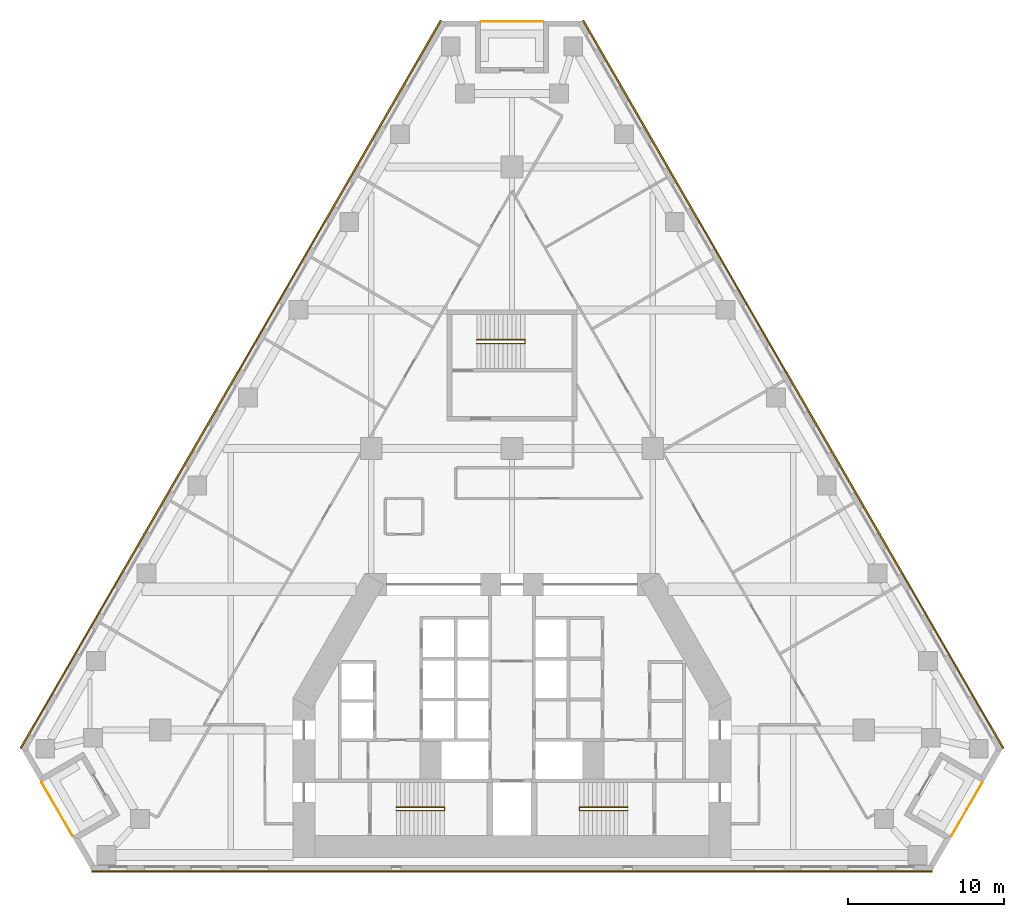
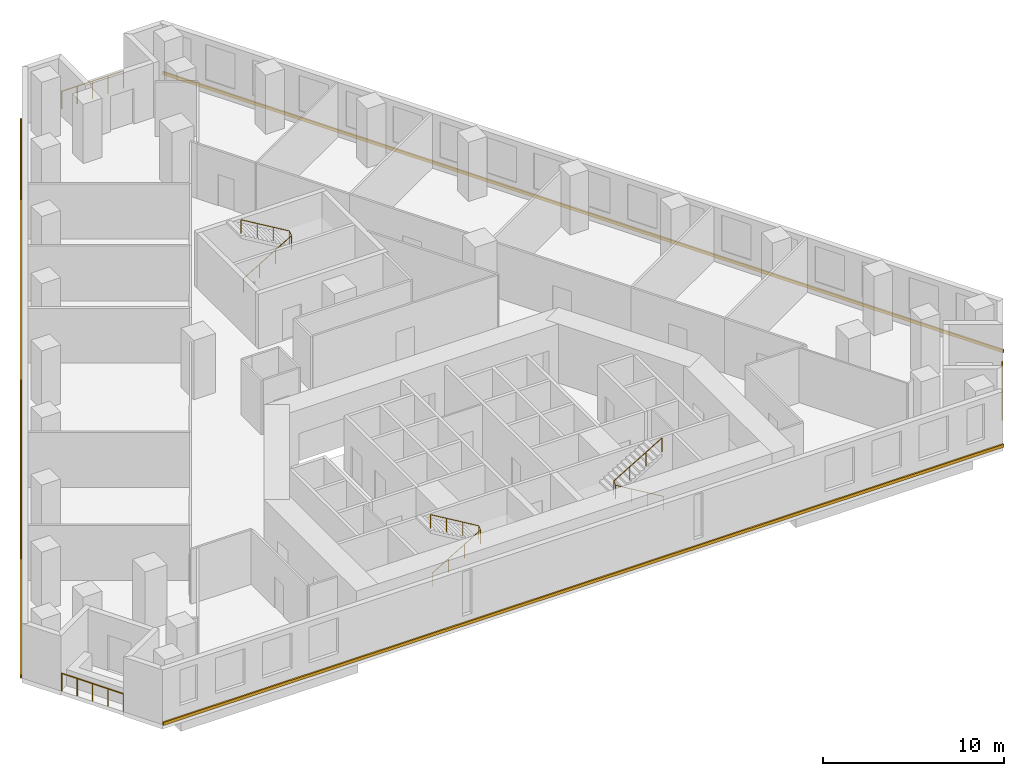
# One storey, part 9 of 9: 6 railings, 3 coverings.
"""IFC4 building model written with IfcOpenShell, lengths in metres."""

import ifcopenshell
import ifcopenshell.guid

model = None  # the IFC model being written
_history = None  # IfcOwnerHistory: only IFC2X3 demands one
_inside = {}  # id of a spatial element -> (the spatial element, [elements in it])
_under = {}  # id of a project, library or spatial element -> (it, [spatial elements below it])
_declared = {}  # id of a project -> (the project, [libraries it declares])
_typed = {}  # id of a type object -> (the type object, [elements of that type])
_made_of = {}  # id of a material, layer set ... -> (it, [elements and type objects made of it])


def new_model(schema):
    """Start an empty IFC model of exactly this schema.

    Asked for "IFC4X3", IfcOpenShell would pick the latest addendum, in which some entities
    have other attributes; the version numbers below select the first issue.
    IFC2X3 requires an IfcOwnerHistory on every rooted entity: one is made here for all.
    """
    global model, _history
    if schema == "IFC4X3":
        model = ifcopenshell.file(schema_version=(4, 3, 0, 0))
    else:
        model = ifcopenshell.file(schema=schema)
    _inside.clear()
    _under.clear()
    _declared.clear()
    _typed.clear()
    _made_of.clear()
    _history = None
    if model.schema == "IFC2X3":
        org = make("IfcOrganization", Name="unknown")
        user = make(
            "IfcPersonAndOrganization",
            ThePerson=make("IfcPerson", FamilyName="unknown"),
            TheOrganization=org,
        )
        app = make(
            "IfcApplication",
            ApplicationDeveloper=org,
            Version="unknown",
            ApplicationFullName="unknown",
            ApplicationIdentifier="unknown",
        )
        _history = make(
            "IfcOwnerHistory",
            OwningUser=user,
            OwningApplication=app,
            ChangeAction="ADDED",
            CreationDate=0,
        )
    return model


def make(cls, **values):
    """One entity of the class cls with the attributes given. An attribute that is None is left unset."""
    return model.create_entity(
        cls, **{name: value for name, value in values.items() if value is not None}
    )


def rooted(cls, **values):
    """An entity with a GlobalId (a new one), such as an element, a storey or a relation."""
    return make(cls, GlobalId=ifcopenshell.guid.new(), OwnerHistory=_history, **values)


def si_unit(unit_type, name, prefix=None):
    """IfcSIUnit, for example si_unit("LENGTHUNIT", "METRE", prefix="MILLI")."""
    return make("IfcSIUnit", UnitType=unit_type, Prefix=prefix, Name=name)


def assignment(units):
    """IfcUnitAssignment: the units of a project."""
    return None if units is None else make("IfcUnitAssignment", Units=units)


def point(xyz):
    """IfcCartesianPoint."""
    return None if xyz is None else make("IfcCartesianPoint", Coordinates=xyz)


def direction(xyz):
    """IfcDirection."""
    return None if xyz is None else make("IfcDirection", DirectionRatios=xyz)


def frame(location, z_axis=None, x_axis=None):
    """IfcAxis2Placement3D, a coordinate frame: its origin and axes. An axis left out is left unset."""
    return make(
        "IfcAxis2Placement3D",
        Location=point(location),
        Axis=direction(z_axis),
        RefDirection=direction(x_axis),
    )


def frame_2d(location, x_axis=None):
    """IfcAxis2Placement2D, a coordinate frame in the plane: its origin and x axis."""
    return make(
        "IfcAxis2Placement2D", Location=point(location), RefDirection=direction(x_axis)
    )


def origin():
    """The frame at (0, 0, 0) with its axes left unset."""
    return frame((0.0, 0.0, 0.0))


def origin_2d():
    """The frame at (0, 0) in the plane with its x axis left unset."""
    return frame_2d((0.0, 0.0))


def place(relative_to, where):
    """IfcLocalPlacement: puts the frame where relative to a parent placement (None: the world)."""
    return make(
        "IfcLocalPlacement", PlacementRelTo=relative_to, RelativePlacement=where
    )


def context(
    kind, dimensions, precision=None, world=None, true_north=None, identifier=None
):
    """IfcGeometricRepresentationContext, for example the 3D "Model" context."""
    return make(
        "IfcGeometricRepresentationContext",
        ContextIdentifier=identifier,
        ContextType=kind,
        CoordinateSpaceDimension=dimensions,
        Precision=precision,
        WorldCoordinateSystem=world,
        TrueNorth=true_north,
    )


def subcontext(parent, identifier, kind, view, scale=None):
    """IfcGeometricRepresentationSubContext, for example "Body" below "Model"."""
    return make(
        "IfcGeometricRepresentationSubContext",
        ContextIdentifier=identifier,
        ContextType=kind,
        ParentContext=parent,
        TargetScale=scale,
        TargetView=view,
    )


def project(units=None, contexts=None):
    """IfcProject with its units and contexts."""
    return rooted(
        "IfcProject",
        Name="project",
        RepresentationContexts=contexts,
        UnitsInContext=assignment(units),
    )


def spatial(cls, under=None, at=None, **own):
    """A site, building, storey or space (cls), placed at a placement, below another one or the project."""
    s = rooted(cls, ObjectPlacement=at, **own)
    if under is not None:
        _under.setdefault(under.id(), (under, []))[1].append(s)
    return s


def polyline(points):
    """IfcPolyline through the points."""
    return make("IfcPolyline", Points=[point(p) for p in points])


def profile(cls, at=None, kind="AREA", **sizes):
    """A parametric profile (cls). Its sizes go by their IFC names, for example OverallWidth=200.0."""
    return make(cls, ProfileType=kind, Position=at, **sizes)


def circle(**sizes):
    """IfcCircleProfileDef."""
    return profile("IfcCircleProfileDef", **sizes)


def outline(outer, holes=None, kind="AREA"):
    """IfcArbitraryClosedProfileDef: a profile drawn as a closed curve; with holes, ...WithVoids."""
    if holes is None:
        return make("IfcArbitraryClosedProfileDef", ProfileType=kind, OuterCurve=outer)
    return make(
        "IfcArbitraryProfileDefWithVoids",
        ProfileType=kind,
        OuterCurve=outer,
        InnerCurves=holes,
    )


def extrude(swept, where, along, depth):
    """IfcExtrudedAreaSolid: the profile swept, set in the frame where, extruded along a direction by depth."""
    return make(
        "IfcExtrudedAreaSolid",
        SweptArea=swept,
        Position=where,
        ExtrudedDirection=direction(along),
        Depth=depth,
    )


def shape(context_of_items, identifier, shape_type, items):
    """IfcShapeRepresentation: the items that make up one representation, for example the "Body"."""
    return make(
        "IfcShapeRepresentation",
        ContextOfItems=context_of_items,
        RepresentationIdentifier=identifier,
        RepresentationType=shape_type,
        Items=items,
    )


def material(Name=None, Category=None):
    """IfcMaterial."""
    return make("IfcMaterial", Name=Name, Category=Category)


def made_of(thing, what):
    """Note that an element or type object is made of a material, layer set ...; save() writes the relation."""
    if what is not None:
        _made_of.setdefault(what.id(), (what, []))[1].append(thing)
    return thing


def type_object(cls, material=None, **own):
    """A type object (cls), such as IfcWallType, which elements share."""
    return made_of(rooted(cls, **own), material)


def element(
    cls,
    number,
    at=None,
    inside=None,
    cuts=None,
    type_object=None,
    material=None,
    context=None,
    identifier="Body",
    shape_type=None,
    held_by="IfcProductDefinitionShape",
    body=None,
    shapes=None,
    **own,
):
    """One element of the class cls, such as IfcWall. Its Tag is "e" and its number.

    at: its placement. inside: the storey or other place that contains it. cuts: it is an
    opening in that element (IfcRelVoidsElement). A single representation is given by context,
    identifier, shape_type and body (its items); several are given by shapes. held_by: the class
    of the entity that holds the representations. save() writes the other relations.
    """
    e = rooted(cls, Tag="e%d" % number, ObjectPlacement=at, **own)
    if body is not None:
        shapes = [shape(context, identifier, shape_type, body)]
    if shapes is not None:
        e.Representation = make(held_by, Representations=shapes)
    if inside is not None:
        _inside.setdefault(inside.id(), (inside, []))[1].append(e)
    if cuts is not None:
        rooted(
            "IfcRelVoidsElement", RelatingBuildingElement=cuts, RelatedOpeningElement=e
        )
    if type_object is not None:
        _typed.setdefault(type_object.id(), (type_object, []))[1].append(e)
    return made_of(e, material)


def aggregate(whole, parts):
    """IfcRelAggregates: a whole, such as a stair, and the parts it consists of."""
    return rooted("IfcRelAggregates", RelatingObject=whole, RelatedObjects=parts)


def save(model, path):
    """Write the relations noted so far, then the file.

    IfcRelAggregates (storeys below a building ...), IfcRelContainedInSpatialStructure (elements
    in a storey), IfcRelDefinesByType, IfcRelAssociatesMaterial and IfcRelDeclares: one each for
    every whole, place, type object, material and project.
    """
    for whole, parts in _under.values():
        aggregate(whole, parts)
    for where, things in _inside.values():
        rooted(
            "IfcRelContainedInSpatialStructure",
            RelatedElements=things,
            RelatingStructure=where,
        )
    for kind, things in _typed.values():
        rooted("IfcRelDefinesByType", RelatedObjects=things, RelatingType=kind)
    for what, things in _made_of.values():
        rooted("IfcRelAssociatesMaterial", RelatedObjects=things, RelatingMaterial=what)
    for by, libraries in _declared.values():
        rooted("IfcRelDeclares", RelatingContext=by, RelatedDefinitions=libraries)
    model.write(path)


model = new_model("IFC4")

# Units and contexts
model_context = context("Model", 3, precision=1e-05, world=origin(), true_north=direction((0.0, 1.0)))
body_context = subcontext(model_context, "Body", "Model", "MODEL_VIEW")
ifc_project = project(units=[si_unit("LENGTHUNIT", "METRE"), si_unit("AREAUNIT", "SQUARE_METRE"), si_unit("VOLUMEUNIT", "CUBIC_METRE"), si_unit("PLANEANGLEUNIT", "RADIAN"), si_unit("MASSUNIT", "GRAM", prefix="KILO")], contexts=[model_context])

# Site, building, storey
site_placement = place(None, origin())
site = spatial("IfcSite", under=ifc_project, at=site_placement, CompositionType="ELEMENT")
building_placement = place(site_placement, origin())
building = spatial("IfcBuilding", under=site, at=building_placement, Name="Fogline Exchange Tower", CompositionType="ELEMENT")
storey_placement = place(building_placement, frame((0.0, 0.0, 64.89990234375)))
storey = spatial("IfcBuildingStorey", under=building, at=storey_placement, Name="L13", CompositionType="ELEMENT", Elevation=64.89990234375)

# Railings
ifc_material_1 = material(Name="Stainless steel 304", Category="steel")
railing_type_1 = type_object("IfcRailingType", Name="G1", PredefinedType="GUARDRAIL", material=ifc_material_1)
railing_1_placement = place(storey_placement, frame((-30.0791015625, 5.635986328125, 0.0)))
element("IfcRailing", 1, at=railing_1_placement, inside=storey, type_object=railing_type_1, Name="Balcony guard L13 SW", PredefinedType="GUARDRAIL", context=body_context, shape_type="SweptSolid", body=[
    extrude(circle(Radius=0.02392578125, at=origin_2d()), frame((0.0, 0.0, 1.17578125), z_axis=(0.500000102728, -0.866025344474, 0.0), x_axis=(0.866025344474, 0.500000102728, 0.0)), (0.0, 0.0, 1.0), 3.9580078125),
    extrude(circle(Radius=0.02099609375, at=origin_2d()), origin(), (0.0, 0.0, 1.0), 1.15185546875),
    extrude(circle(Radius=0.02099609375, at=origin_2d()), frame((0.49462890625, -0.85693359375, 0.0)), (0.0, 0.0, 1.0), 1.15185546875),
    extrude(circle(Radius=0.02099609375, at=origin_2d()), frame((0.989501953125, -1.7138671875, 0.0)), (0.0, 0.0, 1.0), 1.15185546875),
    extrude(circle(Radius=0.02099609375, at=origin_2d()), frame((1.484375, -2.57080078125, 0.0)), (0.0, 0.0, 1.0), 1.15185546875),
    extrude(circle(Radius=0.02099609375, at=origin_2d()), frame((1.97900390625, -3.427734375, 0.0)), (0.0, 0.0, 1.0), 1.15185546875),
])
railing_2_placement = place(storey_placement, frame((28.10009765625, 2.208251953125, 0.0)))
element("IfcRailing", 2, at=railing_2_placement, inside=storey, type_object=railing_type_1, Name="Balcony guard L13 SE", PredefinedType="GUARDRAIL", context=body_context, shape_type="SweptSolid", body=[
    extrude(circle(Radius=0.02392578125, at=origin_2d()), frame((0.0, 0.0, 1.17578125), z_axis=(0.500000102728, 0.866025344474, 0.0), x_axis=(-0.866025344474, 0.500000102728, 0.0)), (0.0, 0.0, 1.0), 3.9580078125),
    extrude(circle(Radius=0.02099609375, at=origin_2d()), origin(), (0.0, 0.0, 1.0), 1.15185546875),
    extrude(circle(Radius=0.02099609375, at=origin_2d()), frame((0.49462890625, 0.85693359375, 0.0)), (0.0, 0.0, 1.0), 1.15185546875),
    extrude(circle(Radius=0.02099609375, at=origin_2d()), frame((0.989501953125, 1.7138671875, 0.0)), (0.0, 0.0, 1.0), 1.15185546875),
    extrude(circle(Radius=0.02099609375, at=origin_2d()), frame((1.484375, 2.57080078125, 0.0)), (0.0, 0.0, 1.0), 1.15185546875),
    extrude(circle(Radius=0.02099609375, at=origin_2d()), frame((1.97900390625, 3.427734375, 0.0)), (0.0, 0.0, 1.0), 1.15185546875),
])
railing_3_placement = place(storey_placement, frame((1.97900390625, 54.306640625, 0.0)))
element("IfcRailing", 3, at=railing_3_placement, inside=storey, type_object=railing_type_1, Name="Balcony guard L13 N", PredefinedType="GUARDRAIL", context=body_context, shape_type="SweptSolid", body=[
    extrude(circle(Radius=0.02392578125, at=origin_2d()), frame((0.0, 0.0, 1.17578125), z_axis=(-1.0, 0.0, 0.0), x_axis=(0.0, -1.0, 0.0)), (0.0, 0.0, 1.0), 3.9580078125),
    extrude(circle(Radius=0.02099609375, at=origin_2d()), origin(), (0.0, 0.0, 1.0), 1.15185546875),
    extrude(circle(Radius=0.02099609375, at=origin_2d()), frame((-0.989501953125, 0.0, 0.0)), (0.0, 0.0, 1.0), 1.15185546875),
    extrude(circle(Radius=0.02099609375, at=origin_2d()), frame((-1.97900390625, 0.0, 0.0)), (0.0, 0.0, 1.0), 1.15185546875),
    extrude(circle(Radius=0.02099609375, at=origin_2d()), frame((-2.968505859375, 0.0, 0.0)), (0.0, 0.0, 1.0), 1.15185546875),
    extrude(circle(Radius=0.02099609375, at=origin_2d()), frame((-3.9580078125, 0.0, 0.0)), (0.0, 0.0, 1.0), 1.15185546875),
])
ifc_material_2 = material(Name="Steel Q235B", Category="steel")
railing_type_2 = type_object("IfcRailingType", Name="RL-HR", PredefinedType="HANDRAIL", material=ifc_material_2)
railing_4_placement = place(storey_placement, frame((-7.39990234375, 3.85009765625, 0.166748046875)))
element("IfcRailing", 4, at=railing_4_placement, inside=storey, type_object=railing_type_2, Name="Handrail ST1", PredefinedType="HANDRAIL", context=body_context, shape_type="SweptSolid", body=[
    extrude(circle(Radius=0.02392578125, at=origin_2d()), frame((0.0, 0.0, 0.92578125), z_axis=(0.859290745958, 0.0, 0.51148745235), x_axis=(0.0, 1.0, 0.0)), (0.0, 0.0, 1.0), 3.584228515625),
    extrude(circle(Radius=0.02392578125, at=origin_2d()), frame((3.079833984375, 0.0, 2.75927734375), z_axis=(0.0, 0.767990643491, 0.640461061666), x_axis=(-1.0, 0.0, 0.0)), (0.0, 0.0, 1.0), 0.26025390625),
    extrude(circle(Radius=0.02392578125, at=origin_2d()), frame((3.079833984375, 0.199951171875, 2.92578125), z_axis=(-0.859290745958, 0.0, 0.51148745235), x_axis=(0.0, -1.0, 0.0)), (0.0, 0.0, 1.0), 3.584228515625),
    extrude(circle(Radius=0.02099609375, at=origin_2d()), origin(), (0.0, 0.0, 1.0), 0.90185546875),
    extrude(circle(Radius=0.02099609375, at=origin_2d()), frame((1.026611328125, 0.0, 0.611083984375)), (0.0, 0.0, 1.0), 0.90185546875),
    extrude(circle(Radius=0.02099609375, at=origin_2d()), frame((2.05322265625, 0.0, 1.22216796875)), (0.0, 0.0, 1.0), 0.90185546875),
    extrude(circle(Radius=0.02099609375, at=origin_2d()), frame((3.079833984375, 0.0, 1.833251953125)), (0.0, 0.0, 1.0), 0.90185546875),
    extrude(circle(Radius=0.02099609375, at=origin_2d()), frame((3.079833984375, 0.199951171875, 2.0)), (0.0, 0.0, 1.0), 0.90185546875),
    extrude(circle(Radius=0.02099609375, at=origin_2d()), frame((2.05322265625, 0.199951171875, 2.611083984375)), (0.0, 0.0, 1.0), 0.90185546875),
    extrude(circle(Radius=0.02099609375, at=origin_2d()), frame((1.026611328125, 0.199951171875, 3.22216796875)), (0.0, 0.0, 1.0), 0.90185546875),
    extrude(circle(Radius=0.02099609375, at=origin_2d()), frame((0.0, 0.199951171875, 3.833251953125)), (0.0, 0.0, 1.0), 0.90185546875),
])
railing_5_placement = place(storey_placement, frame((7.39990234375, 3.85009765625, 0.166748046875)))
element("IfcRailing", 5, at=railing_5_placement, inside=storey, type_object=railing_type_2, Name="Handrail ST2", PredefinedType="HANDRAIL", context=body_context, shape_type="SweptSolid", body=[
    extrude(circle(Radius=0.02392578125, at=origin_2d()), frame((0.0, 0.0, 0.92578125), z_axis=(-0.859290745958, 0.0, 0.51148745235), x_axis=(0.0, -1.0, 0.0)), (0.0, 0.0, 1.0), 3.584228515625),
    extrude(circle(Radius=0.02392578125, at=origin_2d()), frame((-3.079833984375, 0.0, 2.75927734375), z_axis=(0.0, 0.767990643491, 0.640461061666), x_axis=(-1.0, 0.0, 0.0)), (0.0, 0.0, 1.0), 0.26025390625),
    extrude(circle(Radius=0.02392578125, at=origin_2d()), frame((-3.079833984375, 0.199951171875, 2.92578125), z_axis=(0.859290745958, 0.0, 0.51148745235), x_axis=(0.0, 1.0, 0.0)), (0.0, 0.0, 1.0), 3.584228515625),
    extrude(circle(Radius=0.02099609375, at=origin_2d()), origin(), (0.0, 0.0, 1.0), 0.90185546875),
    extrude(circle(Radius=0.02099609375, at=origin_2d()), frame((-1.026611328125, 0.0, 0.611083984375)), (0.0, 0.0, 1.0), 0.90185546875),
    extrude(circle(Radius=0.02099609375, at=origin_2d()), frame((-2.05322265625, 0.0, 1.22216796875)), (0.0, 0.0, 1.0), 0.90185546875),
    extrude(circle(Radius=0.02099609375, at=origin_2d()), frame((-3.079833984375, 0.0, 1.833251953125)), (0.0, 0.0, 1.0), 0.90185546875),
    extrude(circle(Radius=0.02099609375, at=origin_2d()), frame((-3.079833984375, 0.199951171875, 2.0)), (0.0, 0.0, 1.0), 0.90185546875),
    extrude(circle(Radius=0.02099609375, at=origin_2d()), frame((-2.05322265625, 0.199951171875, 2.611083984375)), (0.0, 0.0, 1.0), 0.90185546875),
    extrude(circle(Radius=0.02099609375, at=origin_2d()), frame((-1.026611328125, 0.199951171875, 3.22216796875)), (0.0, 0.0, 1.0), 0.90185546875),
    extrude(circle(Radius=0.02099609375, at=origin_2d()), frame((0.0, 0.199951171875, 3.833251953125)), (0.0, 0.0, 1.0), 0.90185546875),
])
railing_6_placement = place(storey_placement, frame((-2.25, 33.70703125, 0.166748046875)))
element("IfcRailing", 6, at=railing_6_placement, inside=storey, type_object=railing_type_2, Name="Handrail ST3", PredefinedType="HANDRAIL", context=body_context, shape_type="SweptSolid", body=[
    extrude(circle(Radius=0.02392578125, at=origin_2d()), frame((0.0, 0.0, 0.92578125), z_axis=(0.859308565015, 0.0, 0.511457515432), x_axis=(0.0, 1.0, 0.0)), (0.0, 0.0, 1.0), 3.58447265625),
    extrude(circle(Radius=0.02392578125, at=origin_2d()), frame((3.080078125, 0.0, 2.75927734375), z_axis=(0.0, 0.831925284441, 0.554887665306), x_axis=(-1.0, 0.0, 0.0)), (0.0, 0.0, 1.0), 0.300537109375),
    extrude(circle(Radius=0.02392578125, at=origin_2d()), frame((3.080078125, 0.25, 2.92578125), z_axis=(-0.859308565015, 0.0, 0.511457515432), x_axis=(0.0, -1.0, 0.0)), (0.0, 0.0, 1.0), 3.58447265625),
    extrude(circle(Radius=0.02099609375, at=origin_2d()), origin(), (0.0, 0.0, 1.0), 0.90185546875),
    extrude(circle(Radius=0.02099609375, at=origin_2d()), frame((1.026611328125, 0.0, 0.611083984375)), (0.0, 0.0, 1.0), 0.90185546875),
    extrude(circle(Radius=0.02099609375, at=origin_2d()), frame((2.053466796875, 0.0, 1.22216796875)), (0.0, 0.0, 1.0), 0.90185546875),
    extrude(circle(Radius=0.02099609375, at=origin_2d()), frame((3.080078125, 0.0, 1.833251953125)), (0.0, 0.0, 1.0), 0.90185546875),
    extrude(circle(Radius=0.02099609375, at=origin_2d()), frame((3.080078125, 0.25, 2.0)), (0.0, 0.0, 1.0), 0.90185546875),
    extrude(circle(Radius=0.02099609375, at=origin_2d()), frame((2.053466796875, 0.25, 2.611083984375)), (0.0, 0.0, 1.0), 0.90185546875),
    extrude(circle(Radius=0.02099609375, at=origin_2d()), frame((1.026611328125, 0.25, 3.22216796875)), (0.0, 0.0, 1.0), 0.90185546875),
    extrude(circle(Radius=0.02099609375, at=origin_2d()), frame((0.0, 0.25, 3.833251953125)), (0.0, 0.0, 1.0), 0.90185546875),
])

# Coverings
ifc_material_3 = material(Name="Brick masonry", Category="masonry")
covering_type = type_object("IfcCoveringType", Name="SB1", PredefinedType="CLADDING", material=ifc_material_3)
covering_1_placement = place(storey_placement, origin())
element("IfcCovering", 7, at=covering_1_placement, inside=storey, type_object=covering_type, Name="Stringcourse band L13 S", PredefinedType="CLADDING", context=body_context, shape_type="SweptSolid", body=[
    extrude(outline(polyline([(-26.8828125, 0.0), (-26.8828125, -0.10009765625), (26.8828125, -0.10009765625), (26.8828125, 0.0), (-26.8828125, 0.0)])), origin(), (0.0, 0.0, 1.0), 0.2001953125),
])
covering_2_placement = place(storey_placement, origin())
element("IfcCovering", 8, at=covering_2_placement, inside=storey, type_object=covering_type, Name="Stringcourse band L13 E", PredefinedType="CLADDING", context=body_context, shape_type="SweptSolid", body=[
    extrude(outline(polyline([(31.3828125, 7.794189453125), (31.469482421875, 7.84423828125), (4.586669921875, 54.40673828125), (4.5, 54.356689453125), (31.3828125, 7.794189453125)])), origin(), (0.0, 0.0, 1.0), 0.2001953125),
])
covering_3_placement = place(storey_placement, origin())
element("IfcCovering", 9, at=covering_3_placement, inside=storey, type_object=covering_type, Name="Stringcourse band L13 W", PredefinedType="CLADDING", context=body_context, shape_type="SweptSolid", body=[
    extrude(outline(polyline([(-4.5, 54.356689453125), (-4.586669921875, 54.40673828125), (-31.469482421875, 7.84423828125), (-31.3828125, 7.794189453125), (-4.5, 54.356689453125)])), origin(), (0.0, 0.0, 1.0), 0.2001953125),
])

save(model, "model.ifc")
